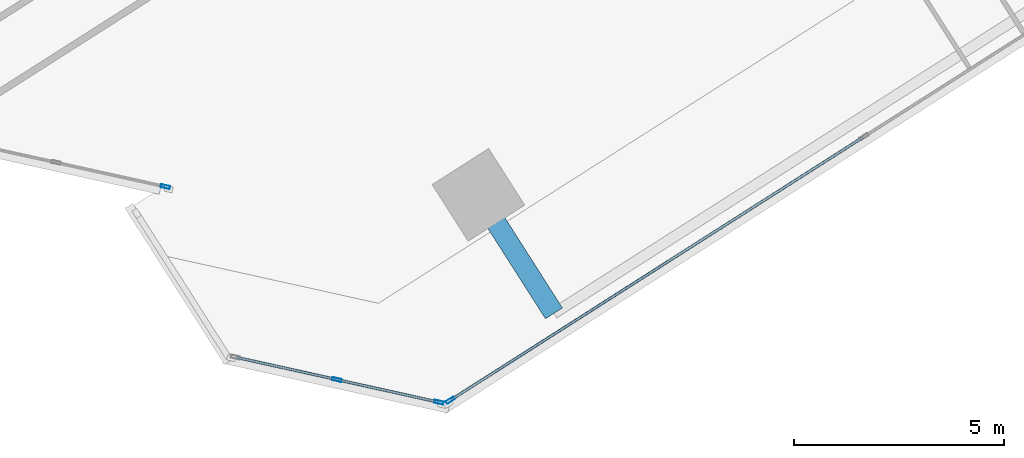
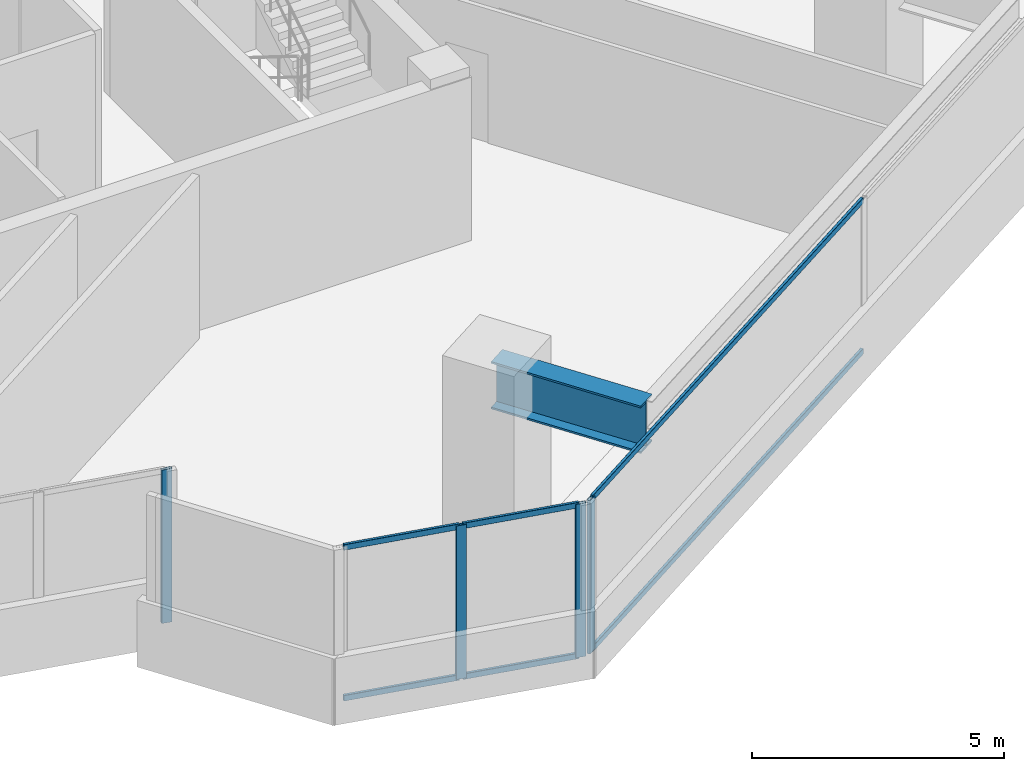
# One storey, part 3 of 15: 10 members, 1 beam, 3 elements without a shape of their own.
"""IFC4 building model written with IfcOpenShell, lengths in metres."""

import ifcopenshell
import ifcopenshell.guid

model = None  # the IFC model being written
_history = None  # IfcOwnerHistory: only IFC2X3 demands one
_inside = {}  # id of a spatial element -> (the spatial element, [elements in it])
_under = {}  # id of a project, library or spatial element -> (it, [spatial elements below it])
_declared = {}  # id of a project -> (the project, [libraries it declares])
_typed = {}  # id of a type object -> (the type object, [elements of that type])
_made_of = {}  # id of a material, layer set ... -> (it, [elements and type objects made of it])


def new_model(schema):
    """Start an empty IFC model of exactly this schema.

    Asked for "IFC4X3", IfcOpenShell would pick the latest addendum, in which some entities
    have other attributes; the version numbers below select the first issue.
    IFC2X3 requires an IfcOwnerHistory on every rooted entity: one is made here for all.
    """
    global model, _history
    if schema == "IFC4X3":
        model = ifcopenshell.file(schema_version=(4, 3, 0, 0))
    else:
        model = ifcopenshell.file(schema=schema)
    _inside.clear()
    _under.clear()
    _declared.clear()
    _typed.clear()
    _made_of.clear()
    _history = None
    if model.schema == "IFC2X3":
        org = make("IfcOrganization", Name="unknown")
        user = make(
            "IfcPersonAndOrganization",
            ThePerson=make("IfcPerson", FamilyName="unknown"),
            TheOrganization=org,
        )
        app = make(
            "IfcApplication",
            ApplicationDeveloper=org,
            Version="unknown",
            ApplicationFullName="unknown",
            ApplicationIdentifier="unknown",
        )
        _history = make(
            "IfcOwnerHistory",
            OwningUser=user,
            OwningApplication=app,
            ChangeAction="ADDED",
            CreationDate=0,
        )
    return model


def make(cls, **values):
    """One entity of the class cls with the attributes given. An attribute that is None is left unset."""
    return model.create_entity(
        cls, **{name: value for name, value in values.items() if value is not None}
    )


def rooted(cls, **values):
    """An entity with a GlobalId (a new one), such as an element, a storey or a relation."""
    return make(cls, GlobalId=ifcopenshell.guid.new(), OwnerHistory=_history, **values)


def si_unit(unit_type, name, prefix=None):
    """IfcSIUnit, for example si_unit("LENGTHUNIT", "METRE", prefix="MILLI")."""
    return make("IfcSIUnit", UnitType=unit_type, Prefix=prefix, Name=name)


def assignment(units):
    """IfcUnitAssignment: the units of a project."""
    return None if units is None else make("IfcUnitAssignment", Units=units)


def point(xyz):
    """IfcCartesianPoint."""
    return None if xyz is None else make("IfcCartesianPoint", Coordinates=xyz)


def direction(xyz):
    """IfcDirection."""
    return None if xyz is None else make("IfcDirection", DirectionRatios=xyz)


def frame(location, z_axis=None, x_axis=None):
    """IfcAxis2Placement3D, a coordinate frame: its origin and axes. An axis left out is left unset."""
    return make(
        "IfcAxis2Placement3D",
        Location=point(location),
        Axis=direction(z_axis),
        RefDirection=direction(x_axis),
    )


def frame_2d(location, x_axis=None):
    """IfcAxis2Placement2D, a coordinate frame in the plane: its origin and x axis."""
    return make(
        "IfcAxis2Placement2D", Location=point(location), RefDirection=direction(x_axis)
    )


def origin():
    """The frame at (0, 0, 0) with its axes left unset."""
    return frame((0.0, 0.0, 0.0))


def origin_2d():
    """The frame at (0, 0) in the plane with its x axis left unset."""
    return frame_2d((0.0, 0.0))


def place(relative_to, where):
    """IfcLocalPlacement: puts the frame where relative to a parent placement (None: the world)."""
    return make(
        "IfcLocalPlacement", PlacementRelTo=relative_to, RelativePlacement=where
    )


def context(
    kind, dimensions, precision=None, world=None, true_north=None, identifier=None
):
    """IfcGeometricRepresentationContext, for example the 3D "Model" context."""
    return make(
        "IfcGeometricRepresentationContext",
        ContextIdentifier=identifier,
        ContextType=kind,
        CoordinateSpaceDimension=dimensions,
        Precision=precision,
        WorldCoordinateSystem=world,
        TrueNorth=true_north,
    )


def subcontext(parent, identifier, kind, view, scale=None):
    """IfcGeometricRepresentationSubContext, for example "Body" below "Model"."""
    return make(
        "IfcGeometricRepresentationSubContext",
        ContextIdentifier=identifier,
        ContextType=kind,
        ParentContext=parent,
        TargetScale=scale,
        TargetView=view,
    )


def project(units=None, contexts=None):
    """IfcProject with its units and contexts."""
    return rooted(
        "IfcProject",
        Name="project",
        RepresentationContexts=contexts,
        UnitsInContext=assignment(units),
    )


def spatial(cls, under=None, at=None, **own):
    """A site, building, storey or space (cls), placed at a placement, below another one or the project."""
    s = rooted(cls, ObjectPlacement=at, **own)
    if under is not None:
        _under.setdefault(under.id(), (under, []))[1].append(s)
    return s


def profile(cls, at=None, kind="AREA", **sizes):
    """A parametric profile (cls). Its sizes go by their IFC names, for example OverallWidth=200.0."""
    return make(cls, ProfileType=kind, Position=at, **sizes)


def hollow_rectangle(**sizes):
    """IfcRectangleHollowProfileDef."""
    return profile("IfcRectangleHollowProfileDef", **sizes)


def i_section(**sizes):
    """IfcIShapeProfileDef."""
    return profile("IfcIShapeProfileDef", **sizes)


def extrude(swept, where, along, depth):
    """IfcExtrudedAreaSolid: the profile swept, set in the frame where, extruded along a direction by depth."""
    return make(
        "IfcExtrudedAreaSolid",
        SweptArea=swept,
        Position=where,
        ExtrudedDirection=direction(along),
        Depth=depth,
    )


def shape(context_of_items, identifier, shape_type, items):
    """IfcShapeRepresentation: the items that make up one representation, for example the "Body"."""
    return make(
        "IfcShapeRepresentation",
        ContextOfItems=context_of_items,
        RepresentationIdentifier=identifier,
        RepresentationType=shape_type,
        Items=items,
    )


def source(mapping_origin, context_of_items, identifier, shape_type, items):
    """IfcRepresentationMap: a shape defined once, which mapped items show again and again."""
    return make(
        "IfcRepresentationMap",
        MappingOrigin=mapping_origin,
        MappedRepresentation=shape(context_of_items, identifier, shape_type, items),
    )


def transform(
    local_origin,
    x_axis=None,
    y_axis=None,
    z_axis=None,
    scale=None,
    scale2=None,
    scale3=None,
    uniform=True,
):
    """IfcCartesianTransformationOperator3D, or its non-uniform kind. x_axis, y_axis, z_axis: its Axis1, 2, 3."""
    if uniform:
        return make(
            "IfcCartesianTransformationOperator3D",
            Axis1=direction(x_axis),
            Axis2=direction(y_axis),
            LocalOrigin=point(local_origin),
            Scale=scale,
            Axis3=direction(z_axis),
        )
    return make(
        "IfcCartesianTransformationOperator3DnonUniform",
        Axis1=direction(x_axis),
        Axis2=direction(y_axis),
        LocalOrigin=point(local_origin),
        Scale=scale,
        Axis3=direction(z_axis),
        Scale2=scale2,
        Scale3=scale3,
    )


def mapped(mapping_source, mapping_target):
    """IfcMappedItem: shows the shape of a source again, moved by a transform."""
    return make(
        "IfcMappedItem", MappingSource=mapping_source, MappingTarget=mapping_target
    )


def material(Name=None, Category=None):
    """IfcMaterial."""
    return make("IfcMaterial", Name=Name, Category=Category)


def material_profile(
    of_material, cross_section, Name=None, Category=None, Priority=None
):
    """IfcMaterialProfile: a cross section and its material."""
    return make(
        "IfcMaterialProfile",
        Name=Name,
        Material=of_material,
        Profile=cross_section,
        Priority=Priority,
        Category=Category,
    )


def profile_set(profiles, Name=None, composite=None):
    """IfcMaterialProfileSet."""
    return make(
        "IfcMaterialProfileSet",
        Name=Name,
        MaterialProfiles=profiles,
        CompositeProfile=composite,
    )


def made_of(thing, what):
    """Note that an element or type object is made of a material, layer set ...; save() writes the relation."""
    if what is not None:
        _made_of.setdefault(what.id(), (what, []))[1].append(thing)
    return thing


def type_object(cls, material=None, **own):
    """A type object (cls), such as IfcWallType, which elements share."""
    return made_of(rooted(cls, **own), material)


def element(
    cls,
    number,
    at=None,
    inside=None,
    cuts=None,
    type_object=None,
    material=None,
    context=None,
    identifier="Body",
    shape_type=None,
    held_by="IfcProductDefinitionShape",
    body=None,
    shapes=None,
    **own,
):
    """One element of the class cls, such as IfcWall. Its Tag is "e" and its number.

    at: its placement. inside: the storey or other place that contains it. cuts: it is an
    opening in that element (IfcRelVoidsElement). A single representation is given by context,
    identifier, shape_type and body (its items); several are given by shapes. held_by: the class
    of the entity that holds the representations. save() writes the other relations.
    """
    e = rooted(cls, Tag="e%d" % number, ObjectPlacement=at, **own)
    if body is not None:
        shapes = [shape(context, identifier, shape_type, body)]
    if shapes is not None:
        e.Representation = make(held_by, Representations=shapes)
    if inside is not None:
        _inside.setdefault(inside.id(), (inside, []))[1].append(e)
    if cuts is not None:
        rooted(
            "IfcRelVoidsElement", RelatingBuildingElement=cuts, RelatedOpeningElement=e
        )
    if type_object is not None:
        _typed.setdefault(type_object.id(), (type_object, []))[1].append(e)
    return made_of(e, material)


def aggregate(whole, parts):
    """IfcRelAggregates: a whole, such as a stair, and the parts it consists of."""
    return rooted("IfcRelAggregates", RelatingObject=whole, RelatedObjects=parts)


def save(model, path):
    """Write the relations noted so far, then the file.

    IfcRelAggregates (storeys below a building ...), IfcRelContainedInSpatialStructure (elements
    in a storey), IfcRelDefinesByType, IfcRelAssociatesMaterial and IfcRelDeclares: one each for
    every whole, place, type object, material and project.
    """
    for whole, parts in _under.values():
        aggregate(whole, parts)
    for where, things in _inside.values():
        rooted(
            "IfcRelContainedInSpatialStructure",
            RelatedElements=things,
            RelatingStructure=where,
        )
    for kind, things in _typed.values():
        rooted("IfcRelDefinesByType", RelatedObjects=things, RelatingType=kind)
    for what, things in _made_of.values():
        rooted("IfcRelAssociatesMaterial", RelatedObjects=things, RelatingMaterial=what)
    for by, libraries in _declared.values():
        rooted("IfcRelDeclares", RelatingContext=by, RelatedDefinitions=libraries)
    model.write(path)


model = new_model("IFC4")

# Units and contexts
model_context = context("Model", 3, precision=1e-05, world=origin(), true_north=direction((0.0, 1.0)))
body_context = subcontext(model_context, "Body", "Model", "MODEL_VIEW")
ifc_project = project(units=[si_unit("LENGTHUNIT", "METRE"), si_unit("AREAUNIT", "SQUARE_METRE"), si_unit("VOLUMEUNIT", "CUBIC_METRE"), si_unit("PLANEANGLEUNIT", "RADIAN"), si_unit("MASSUNIT", "GRAM", prefix="KILO")], contexts=[model_context])

# Site, building, storey
site_placement = place(None, origin())
site = spatial("IfcSite", under=ifc_project, at=site_placement, CompositionType="ELEMENT")
building_placement = place(site_placement, origin())
building = spatial("IfcBuilding", under=site, at=building_placement, Name="Torre Montelarca", CompositionType="ELEMENT")
storey_placement = place(building_placement, frame((0.0, 0.0, 307.199951171875)))
storey = spatial("IfcBuildingStorey", under=building, at=storey_placement, Name="L69", CompositionType="ELEMENT", Elevation=307.199951171875)

# Beam
ifc_material_1 = material(Name="Steel ASTM A572 Grade 50", Category="steel")
ifc_material_profile_1 = material_profile(ifc_material_1, i_section(OverallWidth=0.47998046875, OverallDepth=1.14990234375, WebThickness=0.02197265625, FlangeThickness=0.044921875, at=origin_2d()), Name="PG1150X480X22X45", Category="steel")
ifc_profile_set_1 = profile_set([ifc_material_profile_1], Name="Steel ASTM A572 Grade 50")
beam_type = type_object("IfcBeamType", Name="BM-CG-PG1400-EXT", PredefinedType="USERDEFINED", material=ifc_profile_set_1)
shared_shape_1 = source(origin(), body_context, "Body", "SweptSolid", [
    extrude(i_section(OverallWidth=0.47998046875, OverallDepth=1.14990234375, WebThickness=0.02197265625, FlangeThickness=0.044921875, at=origin_2d()), origin(), (0.0, 0.0, 1.0), 3.349853515625),
])
beam_placement = place(storey_placement, frame((22.543701171875, 15.472412109375, 3.385009765625), z_axis=(0.537342268985, -0.843364266472, 0.0), x_axis=(0.843364266472, 0.537342268985, 0.0)))
element("IfcBeam", 1, at=beam_placement, inside=storey, type_object=beam_type, Name="L69 Sliding Tray Cantilever Girder East Y=24m (FLR)", ObjectType="CANTILEVER GIRDER", PredefinedType="USERDEFINED", context=body_context, shape_type="MappedRepresentation", body=[
    mapped(shared_shape_1, transform((0.0, 0.0, 0.0), scale=1.0)),
])

# Curtain wall, member
ifc_material_2 = material(Name="Insulated low-E laminated glass", Category="glass")
curtain_wall_type = type_object("IfcCurtainWallType", Name="CW-SYS-Z4", PredefinedType="USERDEFINED", material=ifc_material_2)
curtain_wall_1_placement = place(storey_placement, origin())
curtain_wall_1 = element("IfcCurtainWall", 2, at=curtain_wall_1_placement, inside=storey, type_object=curtain_wall_type, Name="L69 Curtain Wall Run CW-T3-L69-E02-B1", ObjectType="UNITISED GLAZING", PredefinedType="USERDEFINED")
ifc_material_3 = material(Name="Anodised aluminium AA 6063-T6", Category="aluminium")
ifc_material_profile_2 = material_profile(ifc_material_3, hollow_rectangle(XDim=0.074951171875, YDim=0.219970703125, WallThickness=0.0048828125, InnerFilletRadius=0.0048828125, OuterFilletRadius=0.010009765625, at=origin_2d()), Name="ALU75X220X5", Category="aluminium")
ifc_profile_set_2 = profile_set([ifc_material_profile_2], Name="Anodised aluminium AA 6063-T6")
member_type_1 = type_object("IfcMemberType", Name="CWM-ALU220", PredefinedType="MULLION", material=ifc_profile_set_2)
shared_shape_2 = source(origin(), body_context, "Body", "SweptSolid", [
    extrude(hollow_rectangle(XDim=0.074951171875, YDim=0.219970703125, WallThickness=0.0048828125, InnerFilletRadius=0.0048828125, OuterFilletRadius=0.010009765625, at=origin_2d()), origin(), (0.0, 0.0, 1.0), 3.719970703125),
])
member_1_placement = place(storey_placement, frame((15.077880859375, 15.667236328125, 0.0), z_axis=(0.0, 0.0, 1.0), x_axis=(0.216448974638, 0.976293931856, 0.0)))
member_1 = element("IfcMember", 3, at=member_1_placement, type_object=member_type_1, Name="CW mullion 3", PredefinedType="MULLION", context=body_context, shape_type="MappedRepresentation", body=[
    mapped(shared_shape_2, transform((0.0, 0.0, 0.0), scale=1.0)),
])
aggregate(curtain_wall_1, [member_1])

# Curtain wall, members
curtain_wall_2_placement = place(storey_placement, origin())
curtain_wall_2 = element("IfcCurtainWall", 4, at=curtain_wall_2_placement, inside=storey, type_object=curtain_wall_type, Name="L69 Curtain Wall Run CW-T3-L69-E05-B1", ObjectType="UNITISED GLAZING", PredefinedType="USERDEFINED")
member_2_placement = place(storey_placement, frame((19.176513671875, 11.06494140625, 0.0), z_axis=(0.0, 0.0, 1.0), x_axis=(0.216439080105, 0.976296125468, 0.0)))
member_2 = element("IfcMember", 5, at=member_2_placement, type_object=member_type_1, Name="CW mullion 2", PredefinedType="MULLION", context=body_context, shape_type="MappedRepresentation", body=[
    mapped(shared_shape_2, transform((0.0, 0.0, 0.0), scale=1.0)),
])
member_3_placement = place(storey_placement, frame((21.601318359375, 10.52734375, 0.0), z_axis=(0.0, 0.0, 1.0), x_axis=(0.216439080105, 0.976296125468, 0.0)))
member_3 = element("IfcMember", 6, at=member_3_placement, type_object=member_type_1, Name="CW mullion 3", PredefinedType="MULLION", context=body_context, shape_type="MappedRepresentation", body=[
    mapped(shared_shape_2, transform((0.0, 0.0, 0.0), scale=1.0)),
])

# Curtain wall, member
curtain_wall_3_placement = place(storey_placement, origin())
curtain_wall_3 = element("IfcCurtainWall", 7, at=curtain_wall_3_placement, inside=storey, type_object=curtain_wall_type, Name="L69 Curtain Wall Run CW-T3-L69-E06-B1", ObjectType="UNITISED GLAZING", PredefinedType="USERDEFINED")
member_4_placement = place(storey_placement, frame((21.873291015625, 10.5751953125, 0.0), z_axis=(0.0, 0.0, 1.0), x_axis=(-0.537301679311, 0.84339012646, 0.0)))
member_4 = element("IfcMember", 8, at=member_4_placement, type_object=member_type_1, Name="CW mullion 1", PredefinedType="MULLION", context=body_context, shape_type="MappedRepresentation", body=[
    mapped(shared_shape_2, transform((0.0, 0.0, 0.0), scale=1.0)),
])

# Member
ifc_material_profile_3 = material_profile(ifc_material_3, hollow_rectangle(XDim=0.06494140625, YDim=0.139892578125, WallThickness=0.00390625, InnerFilletRadius=0.00390625, OuterFilletRadius=0.008056640625, at=origin_2d()), Name="ALU65X140X4", Category="aluminium")
ifc_profile_set_3 = profile_set([ifc_material_profile_3], Name="Anodised aluminium AA 6063-T6")
member_type_2 = type_object("IfcMemberType", Name="CWT-ALU140", PredefinedType="USERDEFINED", material=ifc_profile_set_3)
shared_shape_3 = source(origin(), body_context, "Body", "SweptSolid", [
    extrude(hollow_rectangle(XDim=0.06494140625, YDim=0.139892578125, WallThickness=0.00390625, InnerFilletRadius=0.00390625, OuterFilletRadius=0.008056640625, at=origin_2d()), origin(), (0.0, 0.0, 1.0), 2.40869140625),
])
member_5_placement = place(storey_placement, frame((16.788330078125, 11.594482421875, 0.032470703125), z_axis=(0.976282361765, -0.216501154976, 0.0), x_axis=(0.216501154976, 0.976282361765, 0.0)))
member_5 = element("IfcMember", 9, at=member_5_placement, type_object=member_type_2, Name="CW transom 1.1", ObjectType="TRANSOM", PredefinedType="USERDEFINED", context=body_context, shape_type="MappedRepresentation", body=[
    mapped(shared_shape_3, transform((0.0, 0.0, 0.0), scale=1.0)),
])

member_6_placement = place(storey_placement, frame((16.788330078125, 11.594482421875, 3.6875), z_axis=(0.976282361765, -0.216501154976, 0.0), x_axis=(0.216501154976, 0.976282361765, 0.0)))
member_6 = element("IfcMember", 10, at=member_6_placement, type_object=member_type_2, Name="CW transom 1.2", ObjectType="TRANSOM", PredefinedType="USERDEFINED", context=body_context, shape_type="MappedRepresentation", body=[
    mapped(shared_shape_3, transform((0.0, 0.0, 0.0), scale=1.0)),
])

member_7_placement = place(storey_placement, frame((19.213134765625, 11.056884765625, 0.032470703125), z_axis=(0.976282361765, -0.216501154976, 0.0), x_axis=(0.216501154976, 0.976282361765, 0.0)))
member_7 = element("IfcMember", 11, at=member_7_placement, type_object=member_type_2, Name="CW transom 2.1", ObjectType="TRANSOM", PredefinedType="USERDEFINED", context=body_context, shape_type="MappedRepresentation", body=[
    mapped(shared_shape_3, transform((0.0, 0.0, 0.0), scale=1.0)),
])

member_8_placement = place(storey_placement, frame((19.213134765625, 11.056884765625, 3.6875), z_axis=(0.976282361765, -0.216501154976, 0.0), x_axis=(0.216501154976, 0.976282361765, 0.0)))
member_8 = element("IfcMember", 12, at=member_8_placement, type_object=member_type_2, Name="CW transom 2.2", ObjectType="TRANSOM", PredefinedType="USERDEFINED", context=body_context, shape_type="MappedRepresentation", body=[
    mapped(shared_shape_3, transform((0.0, 0.0, 0.0), scale=1.0)),
])

aggregate(curtain_wall_2, [member_2, member_3, member_5, member_6, member_7, member_8])

shared_shape_4 = source(origin(), body_context, "Body", "SweptSolid", [
    extrude(hollow_rectangle(XDim=0.06494140625, YDim=0.139892578125, WallThickness=0.00390625, InnerFilletRadius=0.00390625, OuterFilletRadius=0.008056640625, at=origin_2d()), origin(), (0.0, 0.0, 1.0), 11.62158203125),
])
member_9_placement = place(storey_placement, frame((21.905029296875, 10.595458984375, 0.032470703125), z_axis=(0.843386302906, 0.537307681008, 0.0), x_axis=(-0.537307681008, 0.843386302906, 0.0)))
member_9 = element("IfcMember", 13, at=member_9_placement, type_object=member_type_2, Name="CW transom 1.1", ObjectType="TRANSOM", PredefinedType="USERDEFINED", context=body_context, shape_type="MappedRepresentation", body=[
    mapped(shared_shape_4, transform((0.0, 0.0, 0.0), scale=1.0)),
])

member_10_placement = place(storey_placement, frame((21.905029296875, 10.595458984375, 3.6875), z_axis=(0.843386302906, 0.537307681008, 0.0), x_axis=(-0.537307681008, 0.843386302906, 0.0)))
member_10 = element("IfcMember", 14, at=member_10_placement, type_object=member_type_2, Name="CW transom 1.2", ObjectType="TRANSOM", PredefinedType="USERDEFINED", context=body_context, shape_type="MappedRepresentation", body=[
    mapped(shared_shape_4, transform((0.0, 0.0, 0.0), scale=1.0)),
])

aggregate(curtain_wall_3, [member_4, member_9, member_10])

save(model, "model.ifc")
